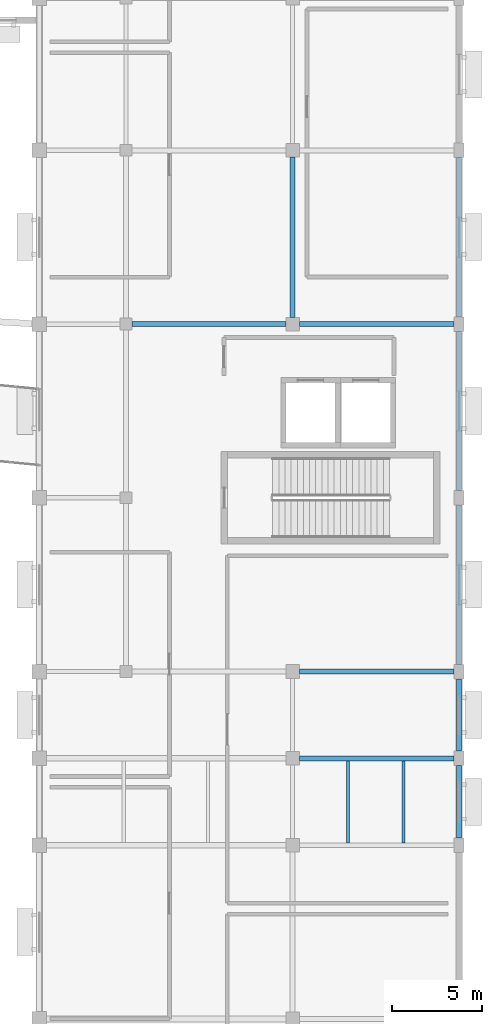
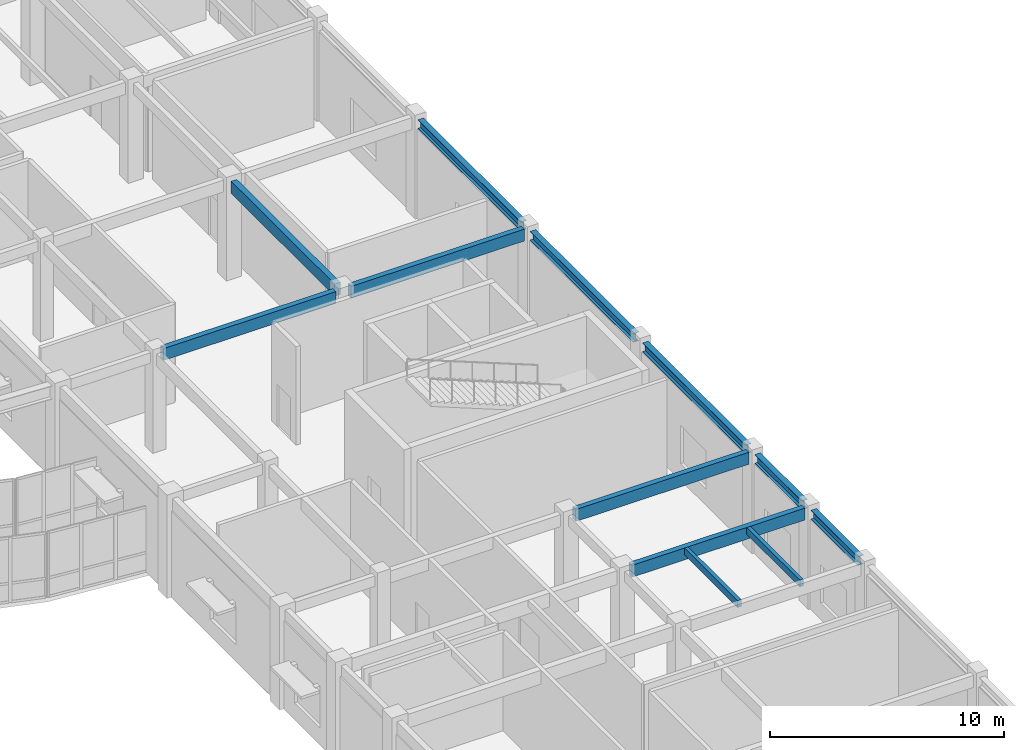
# One storey, part 33 of 72: 12 beams.
"""IFC4 building model written with IfcOpenShell, lengths in metres."""

from ifc_helpers import new_model, si_unit, direction, frame, origin, origin_2d, place, context, subcontext, project, spatial, rectangle, i_section, extrude, material, material_profile, profile_set, type_object, element, save


model = new_model("IFC4")

# Units and contexts
model_context = context("Model", 3, precision=1e-05, world=origin(), true_north=direction((0.0, 1.0)))
body_context = subcontext(model_context, "Body", "Model", "MODEL_VIEW")
ifc_project = project(units=[si_unit("LENGTHUNIT", "METRE"), si_unit("AREAUNIT", "SQUARE_METRE"), si_unit("VOLUMEUNIT", "CUBIC_METRE"), si_unit("PLANEANGLEUNIT", "RADIAN"), si_unit("MASSUNIT", "GRAM", prefix="KILO")], contexts=[model_context])

# Site, building, storey
site_placement = place(None, origin())
site = spatial("IfcSite", under=ifc_project, at=site_placement, CompositionType="ELEMENT")
building_placement = place(site_placement, origin())
building = spatial("IfcBuilding", under=site, at=building_placement, Name="Veldera Park Congress Hotel", CompositionType="ELEMENT")
storey_placement = place(building_placement, frame((0.0, 0.0, 5.39990234375)))
storey = spatial("IfcBuildingStorey", under=building, at=storey_placement, Name="L01", CompositionType="ELEMENT", Elevation=5.39990234375)

# Beams
ifc_material_1 = material(Name="Glulam GL28h (NDS 24F-V4)", Category="wood")
ifc_material_profile_1 = material_profile(ifc_material_1, rectangle(XDim=0.264892578125, YDim=0.6201171875, at=origin_2d()), Name="GL28h 265x620")
ifc_profile_set_1 = profile_set([ifc_material_profile_1], Name="Glulam GL28h (NDS 24F-V4)")
beam_type_1 = type_object("IfcBeamType", Name="BM-GL620", PredefinedType="BEAM", material=ifc_profile_set_1)
for number, where, z_axis, x_axis, name in (
    (1, (75.175048828125, -23.39990234375, 4.820068359375), (1.0, 0.0, 0.0), (0.0, 1.0, 0.0), "L01 Girder BM-GL620 568"),
    (2, (75.175048828125, -18.60009765625, 4.820068359375), (1.0, 0.0, 0.0), (0.0, 1.0, 0.0), "L01 Girder BM-GL620 579"),
):
    element("IfcBeam", number, at=place(storey_placement, frame(where, z_axis=z_axis, x_axis=x_axis)), inside=storey, type_object=beam_type_1, Name=name, PredefinedType="BEAM", context=body_context, shape_type="SweptSolid", body=[
        extrude(rectangle(XDim=0.264892578125, YDim=0.6201171875, at=origin_2d()), origin(), (0.0, 0.0, 1.0), 8.550048828125),
    ])
beam_1_placement = place(storey_placement, frame((65.925048828125, 0.60009765625, 4.820068359375), z_axis=(1.0, 0.0, 0.0), x_axis=(0.0, 1.0, 0.0)))
element("IfcBeam", 3, at=beam_1_placement, inside=storey, type_object=beam_type_1, Name="L01 Girder BM-GL620 588", PredefinedType="BEAM", context=body_context, shape_type="SweptSolid", body=[
    extrude(rectangle(XDim=0.264892578125, YDim=0.6201171875, at=origin_2d()), origin(), (0.0, 0.0, 1.0), 8.5),
])
beam_2_placement = place(storey_placement, frame((75.175048828125, 0.60009765625, 4.820068359375), z_axis=(1.0, 0.0, 0.0), x_axis=(0.0, 1.0, 0.0)))
element("IfcBeam", 4, at=beam_2_placement, inside=storey, type_object=beam_type_1, Name="L01 Girder BM-GL620 589", PredefinedType="BEAM", context=body_context, shape_type="SweptSolid", body=[
    extrude(rectangle(XDim=0.264892578125, YDim=0.6201171875, at=origin_2d()), origin(), (0.0, 0.0, 1.0), 8.550048828125),
])
ifc_material_profile_2 = material_profile(ifc_material_1, rectangle(XDim=0.280029296875, YDim=0.639892578125, at=origin_2d()), Name="GL28h 280x640")
ifc_profile_set_2 = profile_set([ifc_material_profile_2], Name="Glulam GL28h (NDS 24F-V4)")
beam_type_2 = type_object("IfcBeamType", Name="BM-GL640", PredefinedType="BEAM", material=ifc_profile_set_2)
beam_3_placement = place(storey_placement, frame((74.800048828125, 0.97509765625, 4.81005859375), z_axis=(0.0, 1.0, 0.0), x_axis=(-1.0, 0.0, 0.0)))
element("IfcBeam", 5, at=beam_3_placement, inside=storey, type_object=beam_type_2, Name="L01 Girder BM-GL640 745", PredefinedType="BEAM", context=body_context, shape_type="SweptSolid", body=[
    extrude(rectangle(XDim=0.280029296875, YDim=0.639892578125, at=origin_2d()), origin(), (0.0, 0.0, 1.0), 8.849853515625),
])
ifc_material_profile_3 = material_profile(ifc_material_1, rectangle(XDim=0.179931640625, YDim=0.360107421875, at=origin_2d()), Name="GL28h 180x360")
ifc_profile_set_3 = profile_set([ifc_material_profile_3], Name="Glulam GL28h (NDS 24F-V4)")
beam_type_3 = type_object("IfcBeamType", Name="JST-GL360", PredefinedType="JOIST", material=ifc_profile_set_3)
for number, where, z_axis, x_axis, name in (
    (6, (77.86669921875, -28.0673828125, 4.9501953125), (0.0, 1.0, 0.0), (-1.0, 0.0, 0.0), "L01 Floor Joist JST-GL360 774"),
    (7, (80.933349609375, -28.0673828125, 4.9501953125), (0.0, 1.0, 0.0), (-1.0, 0.0, 0.0), "L01 Floor Joist JST-GL360 775"),
):
    element("IfcBeam", number, at=place(storey_placement, frame(where, z_axis=z_axis, x_axis=x_axis)), inside=storey, type_object=beam_type_3, Name=name, PredefinedType="JOIST", context=body_context, shape_type="SweptSolid", body=[
        extrude(rectangle(XDim=0.179931640625, YDim=0.360107421875, at=origin_2d()), origin(), (0.0, 0.0, 1.0), 4.534912109375),
    ])
ifc_material_2 = material(Name="Steel ASTM A992 Gr.50", Category="steel")
ifc_material_profile_4 = material_profile(ifc_material_2, i_section(OverallWidth=0.280029296875, OverallDepth=0.462890625, WebThickness=0.0107421875, FlangeThickness=0.017333984375, at=origin_2d()), Name="W18X76")
ifc_profile_set_4 = profile_set([ifc_material_profile_4], Name="Steel ASTM A992 Gr.50")
beam_type_4 = type_object("IfcBeamType", Name="SPN-W18E", PredefinedType="SPANDREL", material=ifc_profile_set_4)
for number, where, z_axis, x_axis, name in (
    (8, (84.0, -27.800048828125, 4.898681640625), (0.0, 1.0, 0.0), (-1.0, 0.0, 0.0), "L01 Girder SPN-W18E 752"),
    (9, (84.0, -23.0, 4.898681640625), (0.0, 1.0, 0.0), (-1.0, 0.0, 0.0), "L01 Girder SPN-W18E 753"),
):
    element("IfcBeam", number, at=place(storey_placement, frame(where, z_axis=z_axis, x_axis=x_axis)), inside=storey, type_object=beam_type_4, Name=name, PredefinedType="SPANDREL", context=body_context, shape_type="SweptSolid", body=[
        extrude(i_section(OverallWidth=0.280029296875, OverallDepth=0.462890625, WebThickness=0.0107421875, FlangeThickness=0.017333984375, at=origin_2d()), origin(), (0.0, 0.0, 1.0), 4.0),
    ])
for number, where, z_axis, x_axis, name in (
    (10, (84.0, -18.199951171875, 4.898681640625), (0.0, 1.0, 0.0), (-1.0, 0.0, 0.0), "L01 Girder SPN-W18E 754"),
    (11, (84.0, -8.60009765625, 4.898681640625), (0.0, 1.0, 0.0), (-1.0, 0.0, 0.0), "L01 Girder SPN-W18E 755"),
    (12, (84.0, 1.0, 4.898681640625), (0.0, 1.0, 0.0), (-1.0, 0.0, 0.0), "L01 Girder SPN-W18E 756"),
):
    element("IfcBeam", number, at=place(storey_placement, frame(where, z_axis=z_axis, x_axis=x_axis)), inside=storey, type_object=beam_type_4, Name=name, PredefinedType="SPANDREL", context=body_context, shape_type="SweptSolid", body=[
        extrude(i_section(OverallWidth=0.280029296875, OverallDepth=0.462890625, WebThickness=0.0107421875, FlangeThickness=0.017333984375, at=origin_2d()), origin(), (0.0, 0.0, 1.0), 8.800048828125),
    ])

save(model, "model.ifc")
